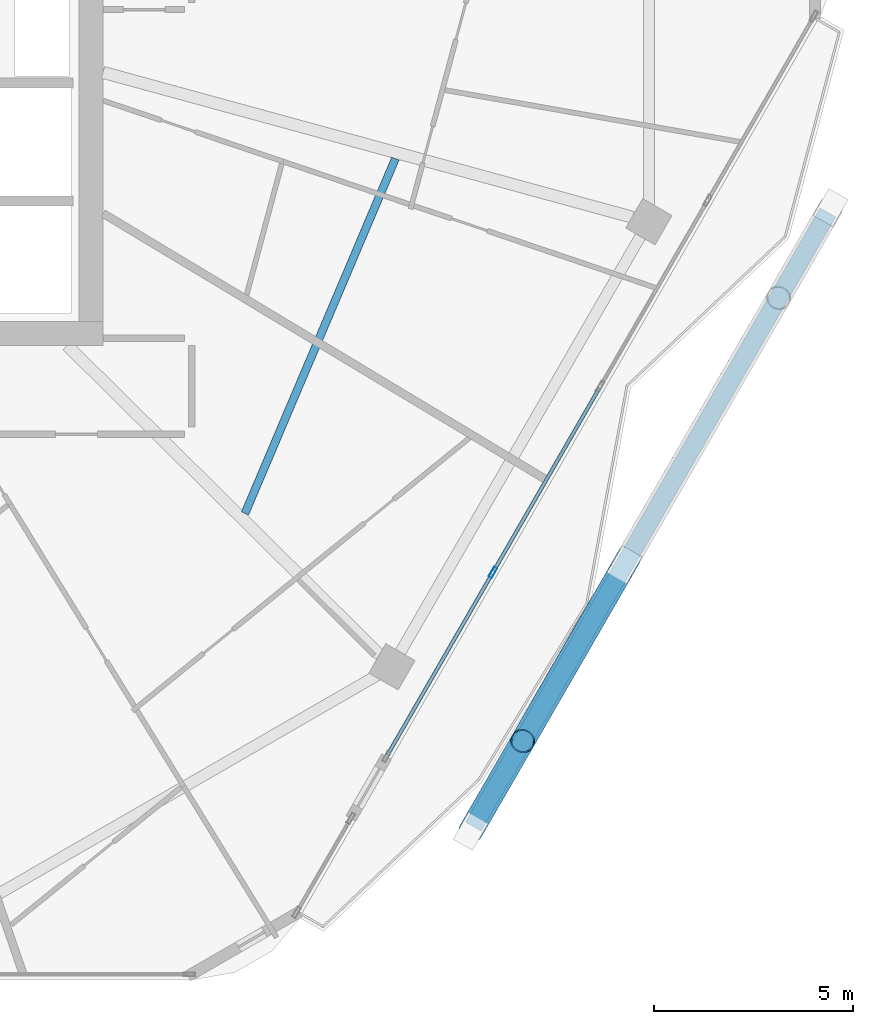
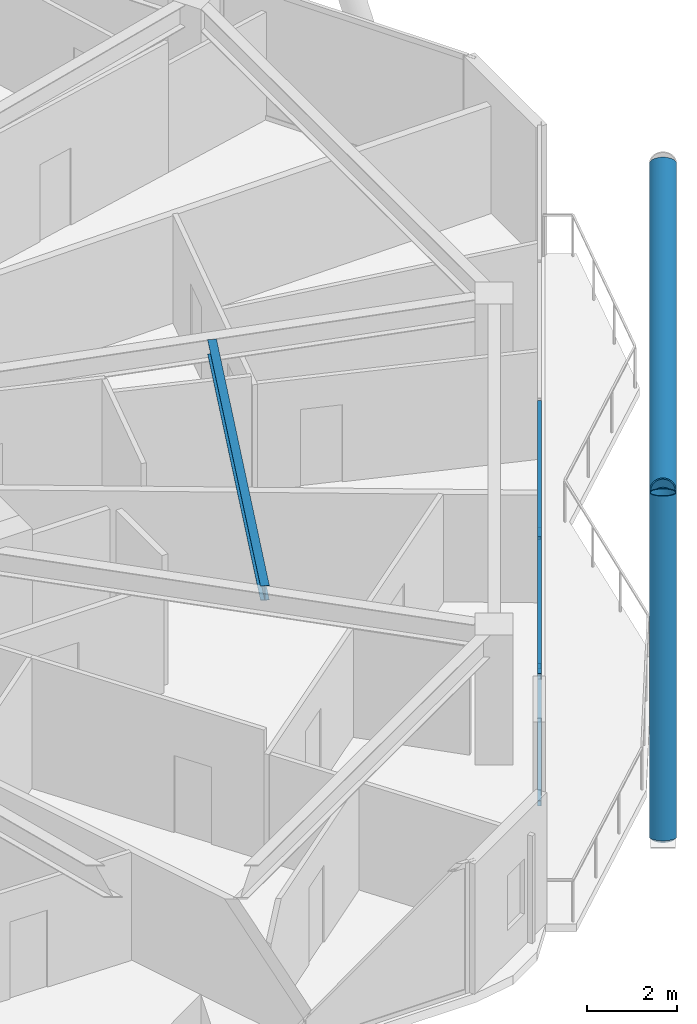
# One storey, part 9 of 29: 9 members, 1 beam, 1 element without a shape of its own.
"""IFC4 building model written with IfcOpenShell, lengths in metres."""

import ifcopenshell
import ifcopenshell.guid

model = None  # the IFC model being written
_history = None  # IfcOwnerHistory: only IFC2X3 demands one
_inside = {}  # id of a spatial element -> (the spatial element, [elements in it])
_under = {}  # id of a project, library or spatial element -> (it, [spatial elements below it])
_declared = {}  # id of a project -> (the project, [libraries it declares])
_typed = {}  # id of a type object -> (the type object, [elements of that type])
_made_of = {}  # id of a material, layer set ... -> (it, [elements and type objects made of it])


def new_model(schema):
    """Start an empty IFC model of exactly this schema.

    Asked for "IFC4X3", IfcOpenShell would pick the latest addendum, in which some entities
    have other attributes; the version numbers below select the first issue.
    IFC2X3 requires an IfcOwnerHistory on every rooted entity: one is made here for all.
    """
    global model, _history
    if schema == "IFC4X3":
        model = ifcopenshell.file(schema_version=(4, 3, 0, 0))
    else:
        model = ifcopenshell.file(schema=schema)
    _inside.clear()
    _under.clear()
    _declared.clear()
    _typed.clear()
    _made_of.clear()
    _history = None
    if model.schema == "IFC2X3":
        org = make("IfcOrganization", Name="unknown")
        user = make(
            "IfcPersonAndOrganization",
            ThePerson=make("IfcPerson", FamilyName="unknown"),
            TheOrganization=org,
        )
        app = make(
            "IfcApplication",
            ApplicationDeveloper=org,
            Version="unknown",
            ApplicationFullName="unknown",
            ApplicationIdentifier="unknown",
        )
        _history = make(
            "IfcOwnerHistory",
            OwningUser=user,
            OwningApplication=app,
            ChangeAction="ADDED",
            CreationDate=0,
        )
    return model


def make(cls, **values):
    """One entity of the class cls with the attributes given. An attribute that is None is left unset."""
    return model.create_entity(
        cls, **{name: value for name, value in values.items() if value is not None}
    )


def rooted(cls, **values):
    """An entity with a GlobalId (a new one), such as an element, a storey or a relation."""
    return make(cls, GlobalId=ifcopenshell.guid.new(), OwnerHistory=_history, **values)


def si_unit(unit_type, name, prefix=None):
    """IfcSIUnit, for example si_unit("LENGTHUNIT", "METRE", prefix="MILLI")."""
    return make("IfcSIUnit", UnitType=unit_type, Prefix=prefix, Name=name)


def assignment(units):
    """IfcUnitAssignment: the units of a project."""
    return None if units is None else make("IfcUnitAssignment", Units=units)


def point(xyz):
    """IfcCartesianPoint."""
    return None if xyz is None else make("IfcCartesianPoint", Coordinates=xyz)


def direction(xyz):
    """IfcDirection."""
    return None if xyz is None else make("IfcDirection", DirectionRatios=xyz)


def frame(location, z_axis=None, x_axis=None):
    """IfcAxis2Placement3D, a coordinate frame: its origin and axes. An axis left out is left unset."""
    return make(
        "IfcAxis2Placement3D",
        Location=point(location),
        Axis=direction(z_axis),
        RefDirection=direction(x_axis),
    )


def frame_2d(location, x_axis=None):
    """IfcAxis2Placement2D, a coordinate frame in the plane: its origin and x axis."""
    return make(
        "IfcAxis2Placement2D", Location=point(location), RefDirection=direction(x_axis)
    )


def origin():
    """The frame at (0, 0, 0) with its axes left unset."""
    return frame((0.0, 0.0, 0.0))


def origin_2d():
    """The frame at (0, 0) in the plane with its x axis left unset."""
    return frame_2d((0.0, 0.0))


def place(relative_to, where):
    """IfcLocalPlacement: puts the frame where relative to a parent placement (None: the world)."""
    return make(
        "IfcLocalPlacement", PlacementRelTo=relative_to, RelativePlacement=where
    )


def context(
    kind, dimensions, precision=None, world=None, true_north=None, identifier=None
):
    """IfcGeometricRepresentationContext, for example the 3D "Model" context."""
    return make(
        "IfcGeometricRepresentationContext",
        ContextIdentifier=identifier,
        ContextType=kind,
        CoordinateSpaceDimension=dimensions,
        Precision=precision,
        WorldCoordinateSystem=world,
        TrueNorth=true_north,
    )


def subcontext(parent, identifier, kind, view, scale=None):
    """IfcGeometricRepresentationSubContext, for example "Body" below "Model"."""
    return make(
        "IfcGeometricRepresentationSubContext",
        ContextIdentifier=identifier,
        ContextType=kind,
        ParentContext=parent,
        TargetScale=scale,
        TargetView=view,
    )


def project(units=None, contexts=None):
    """IfcProject with its units and contexts."""
    return rooted(
        "IfcProject",
        Name="project",
        RepresentationContexts=contexts,
        UnitsInContext=assignment(units),
    )


def spatial(cls, under=None, at=None, **own):
    """A site, building, storey or space (cls), placed at a placement, below another one or the project."""
    s = rooted(cls, ObjectPlacement=at, **own)
    if under is not None:
        _under.setdefault(under.id(), (under, []))[1].append(s)
    return s


def profile(cls, at=None, kind="AREA", **sizes):
    """A parametric profile (cls). Its sizes go by their IFC names, for example OverallWidth=200.0."""
    return make(cls, ProfileType=kind, Position=at, **sizes)


def hollow_rectangle(**sizes):
    """IfcRectangleHollowProfileDef."""
    return profile("IfcRectangleHollowProfileDef", **sizes)


def hollow_circle(**sizes):
    """IfcCircleHollowProfileDef."""
    return profile("IfcCircleHollowProfileDef", **sizes)


def i_section(**sizes):
    """IfcIShapeProfileDef."""
    return profile("IfcIShapeProfileDef", **sizes)


def extrude(swept, where, along, depth):
    """IfcExtrudedAreaSolid: the profile swept, set in the frame where, extruded along a direction by depth."""
    return make(
        "IfcExtrudedAreaSolid",
        SweptArea=swept,
        Position=where,
        ExtrudedDirection=direction(along),
        Depth=depth,
    )


def shape(context_of_items, identifier, shape_type, items):
    """IfcShapeRepresentation: the items that make up one representation, for example the "Body"."""
    return make(
        "IfcShapeRepresentation",
        ContextOfItems=context_of_items,
        RepresentationIdentifier=identifier,
        RepresentationType=shape_type,
        Items=items,
    )


def material(Name=None, Category=None):
    """IfcMaterial."""
    return make("IfcMaterial", Name=Name, Category=Category)


def material_profile(
    of_material, cross_section, Name=None, Category=None, Priority=None
):
    """IfcMaterialProfile: a cross section and its material."""
    return make(
        "IfcMaterialProfile",
        Name=Name,
        Material=of_material,
        Profile=cross_section,
        Priority=Priority,
        Category=Category,
    )


def profile_set(profiles, Name=None, composite=None):
    """IfcMaterialProfileSet."""
    return make(
        "IfcMaterialProfileSet",
        Name=Name,
        MaterialProfiles=profiles,
        CompositeProfile=composite,
    )


def made_of(thing, what):
    """Note that an element or type object is made of a material, layer set ...; save() writes the relation."""
    if what is not None:
        _made_of.setdefault(what.id(), (what, []))[1].append(thing)
    return thing


def type_object(cls, material=None, **own):
    """A type object (cls), such as IfcWallType, which elements share."""
    return made_of(rooted(cls, **own), material)


def element(
    cls,
    number,
    at=None,
    inside=None,
    cuts=None,
    type_object=None,
    material=None,
    context=None,
    identifier="Body",
    shape_type=None,
    held_by="IfcProductDefinitionShape",
    body=None,
    shapes=None,
    **own,
):
    """One element of the class cls, such as IfcWall. Its Tag is "e" and its number.

    at: its placement. inside: the storey or other place that contains it. cuts: it is an
    opening in that element (IfcRelVoidsElement). A single representation is given by context,
    identifier, shape_type and body (its items); several are given by shapes. held_by: the class
    of the entity that holds the representations. save() writes the other relations.
    """
    e = rooted(cls, Tag="e%d" % number, ObjectPlacement=at, **own)
    if body is not None:
        shapes = [shape(context, identifier, shape_type, body)]
    if shapes is not None:
        e.Representation = make(held_by, Representations=shapes)
    if inside is not None:
        _inside.setdefault(inside.id(), (inside, []))[1].append(e)
    if cuts is not None:
        rooted(
            "IfcRelVoidsElement", RelatingBuildingElement=cuts, RelatedOpeningElement=e
        )
    if type_object is not None:
        _typed.setdefault(type_object.id(), (type_object, []))[1].append(e)
    return made_of(e, material)


def aggregate(whole, parts):
    """IfcRelAggregates: a whole, such as a stair, and the parts it consists of."""
    return rooted("IfcRelAggregates", RelatingObject=whole, RelatedObjects=parts)


def save(model, path):
    """Write the relations noted so far, then the file.

    IfcRelAggregates (storeys below a building ...), IfcRelContainedInSpatialStructure (elements
    in a storey), IfcRelDefinesByType, IfcRelAssociatesMaterial and IfcRelDeclares: one each for
    every whole, place, type object, material and project.
    """
    for whole, parts in _under.values():
        aggregate(whole, parts)
    for where, things in _inside.values():
        rooted(
            "IfcRelContainedInSpatialStructure",
            RelatedElements=things,
            RelatingStructure=where,
        )
    for kind, things in _typed.values():
        rooted("IfcRelDefinesByType", RelatedObjects=things, RelatingType=kind)
    for what, things in _made_of.values():
        rooted("IfcRelAssociatesMaterial", RelatedObjects=things, RelatingMaterial=what)
    for by, libraries in _declared.values():
        rooted("IfcRelDeclares", RelatingContext=by, RelatedDefinitions=libraries)
    model.write(path)


model = new_model("IFC4")

# Units and contexts
model_context = context("Model", 3, precision=1e-05, world=origin(), true_north=direction((0.0, 1.0)))
body_context = subcontext(model_context, "Body", "Model", "MODEL_VIEW")
ifc_project = project(units=[si_unit("LENGTHUNIT", "METRE"), si_unit("AREAUNIT", "SQUARE_METRE"), si_unit("VOLUMEUNIT", "CUBIC_METRE"), si_unit("PLANEANGLEUNIT", "RADIAN"), si_unit("MASSUNIT", "GRAM", prefix="KILO")], contexts=[model_context])

# Site, building, storey
site_placement = place(None, origin())
site = spatial("IfcSite", under=ifc_project, at=site_placement, CompositionType="ELEMENT")
building_placement = place(site_placement, origin())
building = spatial("IfcBuilding", under=site, at=building_placement, Name="Zuhravey Tower", CompositionType="ELEMENT")
storey_placement = place(building_placement, frame((0.0, 0.0, 292.0)))
storey = spatial("IfcBuildingStorey", under=building, at=storey_placement, Name="L74", CompositionType="ELEMENT", Elevation=292.0)

# Curtain wall, members
ifc_material_1 = material(Name="Thermally broken anodised aluminium", Category="aluminium")
curtain_wall_type = type_object("IfcCurtainWallType", Name="Zone 3-4 High-Rise Curtain Wall CW4", PredefinedType="NOTDEFINED", material=ifc_material_1)
curtain_wall_placement = place(storey_placement, origin())
curtain_wall = element("IfcCurtainWall", 1, at=curtain_wall_placement, inside=storey, type_object=curtain_wall_type, Name="L74 CW4 CW-L74-F6-1", PredefinedType="NOTDEFINED")
ifc_material_2 = material(Name="Anodised aluminium", Category="aluminium")
ifc_material_profile_1 = material_profile(ifc_material_2, hollow_rectangle(XDim=0.090087890625, YDim=0.284912109375, WallThickness=0.0048828125, at=origin_2d()), Name="ALU-RHS-90x285x5")
ifc_profile_set_1 = profile_set([ifc_material_profile_1], Name="Anodised aluminium")
member_type_1 = type_object("IfcMemberType", Name="Curtain-Wall Mullion 90x180", PredefinedType="MULLION", material=ifc_profile_set_1)
member_1_placement = place(storey_placement, frame((56.576904296875, 16.512939453125, 0.0), z_axis=(0.0, 0.0, 1.0), x_axis=(0.866025601635, -0.499999657313, 0.0)))
member_1 = element("IfcMember", 2, at=member_1_placement, type_object=member_type_1, Name="CW4 mullion 4", PredefinedType="MULLION", context=body_context, shape_type="SweptSolid", body=[
    extrude(hollow_rectangle(XDim=0.090087890625, YDim=0.284912109375, WallThickness=0.0048828125, at=origin_2d()), origin(), (0.0, 0.0, 1.0), 3.550048828125),
])
ifc_material_profile_2 = material_profile(ifc_material_2, hollow_rectangle(XDim=0.090087890625, YDim=0.14990234375, WallThickness=0.0048828125, at=origin_2d()), Name="ALU-RHS-90x150x5")
ifc_profile_set_2 = profile_set([ifc_material_profile_2], Name="Anodised aluminium")
member_type_2 = type_object("IfcMemberType", Name="Curtain-Wall Transom 90x150", PredefinedType="USERDEFINED", material=ifc_profile_set_2)
member_2_placement = place(storey_placement, frame((59.24365234375, 21.132080078125, 0.044921875), z_axis=(-0.499976858976, -0.866038763849, 0.0), x_axis=(0.866038763849, -0.499976858976, 0.0)))
member_2 = element("IfcMember", 3, at=member_2_placement, type_object=member_type_2, Name="CW4 transom 3.1", ObjectType="TRANSOM", PredefinedType="USERDEFINED", context=body_context, shape_type="SweptSolid", body=[
    extrude(hollow_rectangle(XDim=0.090087890625, YDim=0.14990234375, WallThickness=0.0048828125, at=origin_2d()), origin(), (0.0, 0.0, 1.0), 5.288818359375),
])
member_3_placement = place(storey_placement, frame((59.24365234375, 21.132080078125, 3.5048828125), z_axis=(-0.499976858976, -0.866038763849, 0.0), x_axis=(0.866038763849, -0.499976858976, 0.0)))
member_3 = element("IfcMember", 4, at=member_3_placement, type_object=member_type_2, Name="CW4 transom 3.2", ObjectType="TRANSOM", PredefinedType="USERDEFINED", context=body_context, shape_type="SweptSolid", body=[
    extrude(hollow_rectangle(XDim=0.090087890625, YDim=0.14990234375, WallThickness=0.0048828125, at=origin_2d()), origin(), (0.0, 0.0, 1.0), 5.288818359375),
])
member_4_placement = place(storey_placement, frame((56.554443359375, 16.473876953125, 0.044921875), z_axis=(-0.500024709216, -0.866011137442, 0.0), x_axis=(0.866011137442, -0.500024709216, 0.0)))
member_4 = element("IfcMember", 5, at=member_4_placement, type_object=member_type_2, Name="CW4 transom 4.1", ObjectType="TRANSOM", PredefinedType="USERDEFINED", context=body_context, shape_type="SweptSolid", body=[
    extrude(hollow_rectangle(XDim=0.090087890625, YDim=0.14990234375, WallThickness=0.0048828125, at=origin_2d()), origin(), (0.0, 0.0, 1.0), 5.243896484375),
])
member_5_placement = place(storey_placement, frame((56.554443359375, 16.473876953125, 3.5048828125), z_axis=(-0.500024709216, -0.866011137442, 0.0), x_axis=(0.866011137442, -0.500024709216, 0.0)))
member_5 = element("IfcMember", 6, at=member_5_placement, type_object=member_type_2, Name="CW4 transom 4.2", ObjectType="TRANSOM", PredefinedType="USERDEFINED", context=body_context, shape_type="SweptSolid", body=[
    extrude(hollow_rectangle(XDim=0.090087890625, YDim=0.14990234375, WallThickness=0.0048828125, at=origin_2d()), origin(), (0.0, 0.0, 1.0), 5.243896484375),
])
aggregate(curtain_wall, [member_1, member_2, member_3, member_4, member_5])

# Members
ifc_material_3 = material(Name="Steel SM355", Category="steel")
ifc_material_profile_3 = material_profile(ifc_material_3, hollow_circle(Radius=0.228515625, WallThickness=0.02197265625, at=origin_2d()), Name="CHS-457.2x22")
ifc_profile_set_3 = profile_set([ifc_material_profile_3], Name="Steel SM355")
member_type_3 = type_object("IfcMemberType", Name="Exoskeleton Ring Tie CHS457x22", PredefinedType="CHORD", material=ifc_profile_set_3)
member_6_placement = place(storey_placement, frame((56.08447265625, 10.14013671875, -0.464111328125), z_axis=(0.499995467921, 0.866028020366, 0.0), x_axis=(-0.866028020366, 0.499995467921, 0.0)))
element("IfcMember", 7, at=member_6_placement, inside=storey, type_object=member_type_3, Name="L74 Exoskeleton Face 6 Tie EXR1", PredefinedType="CHORD", context=body_context, shape_type="SweptSolid", body=[
    extrude(hollow_circle(Radius=0.228515625, WallThickness=0.02197265625, at=origin_2d()), origin(), (0.0, 0.0, 1.0), 17.778076171875),
])
ifc_material_profile_4 = material_profile(ifc_material_3, hollow_circle(Radius=0.3046875, WallThickness=0.028076171875, at=origin_2d()), Name="CHS-609.6x28")
ifc_profile_set_4 = profile_set([ifc_material_profile_4], Name="Steel SM355")
member_type_4 = type_object("IfcMemberType", Name="Exoskeleton Zone 3 Diagrid CHS610x28", PredefinedType="BRACE", material=ifc_profile_set_4)
member_7_placement = place(storey_placement, frame((56.017578125, 10.024169921875, -0.446044921875), z_axis=(0.163029217662, 0.282394798701, 0.945343668649), x_axis=(-0.866040668696, 0.499973559465, 0.0)))
element("IfcMember", 8, at=member_7_placement, inside=storey, type_object=member_type_4, Name="L74 Face 6 Diagrid Brace 1", PredefinedType="BRACE", context=body_context, shape_type="SweptSolid", body=[
    extrude(hollow_circle(Radius=0.3046875, WallThickness=0.028076171875, at=origin_2d()), origin(), (0.0, 0.0, 1.0), 8.001220703125),
])
member_8_placement = place(storey_placement, frame((56.03271484375, 10.050537109375, -0.446044921875), z_axis=(0.44858715889, 0.776961798354, 0.441701171357), x_axis=(-0.866021515814, 0.500006734102, 0.0)))
element("IfcMember", 9, at=member_8_placement, inside=storey, type_object=member_type_4, Name="L74 Face 6 Diagrid Brace 2", PredefinedType="BRACE", context=body_context, shape_type="SweptSolid", body=[
    extrude(hollow_circle(Radius=0.3046875, WallThickness=0.028076171875, at=origin_2d()), origin(), (0.0, 0.0, 1.0), 17.12451171875),
])
member_9_placement = place(storey_placement, frame((59.75537109375, 16.498291015625, 3.51220703125), z_axis=(-0.400847383704, -0.694296697272, 0.597723574183), x_axis=(0.866028105091, -0.49999532117, 0.0)))
element("IfcMember", 10, at=member_9_placement, inside=storey, type_object=member_type_4, Name="L74 Face 6 Split Diagrid Brace 3B", PredefinedType="BRACE", context=body_context, shape_type="SweptSolid", body=[
    extrude(hollow_circle(Radius=0.3046875, WallThickness=0.028076171875, at=origin_2d()), origin(), (0.0, 0.0, 1.0), 6.021728515625),
])

# Beam
ifc_material_profile_5 = material_profile(ifc_material_3, i_section(OverallWidth=0.199951171875, OverallDepth=0.39990234375, WebThickness=0.008056640625, FlangeThickness=0.012939453125, at=origin_2d()), Name="H-400x200x8x13")
ifc_profile_set_5 = profile_set([ifc_material_profile_5], Name="Steel SM355")
beam_type = type_object("IfcBeamType", Name="Secondary Floor Joist H400x200", PredefinedType="JOIST", material=ifc_profile_set_5)
beam_placement = place(storey_placement, frame((50.36083984375, 17.990966796875, 3.35009765625), z_axis=(0.390413493754, 0.920639616731, 0.0), x_axis=(-0.920639616731, 0.390413493754, 0.0)))
element("IfcBeam", 11, at=beam_placement, inside=storey, type_object=beam_type, Name="L74 SJ2 BM-L74-SJ-11-1", PredefinedType="JOIST", context=body_context, shape_type="SweptSolid", body=[
    extrude(i_section(OverallWidth=0.199951171875, OverallDepth=0.39990234375, WebThickness=0.008056640625, FlangeThickness=0.012939453125, at=origin_2d()), origin(), (0.0, 0.0, 1.0), 9.656494140625),
])

save(model, "model.ifc")
